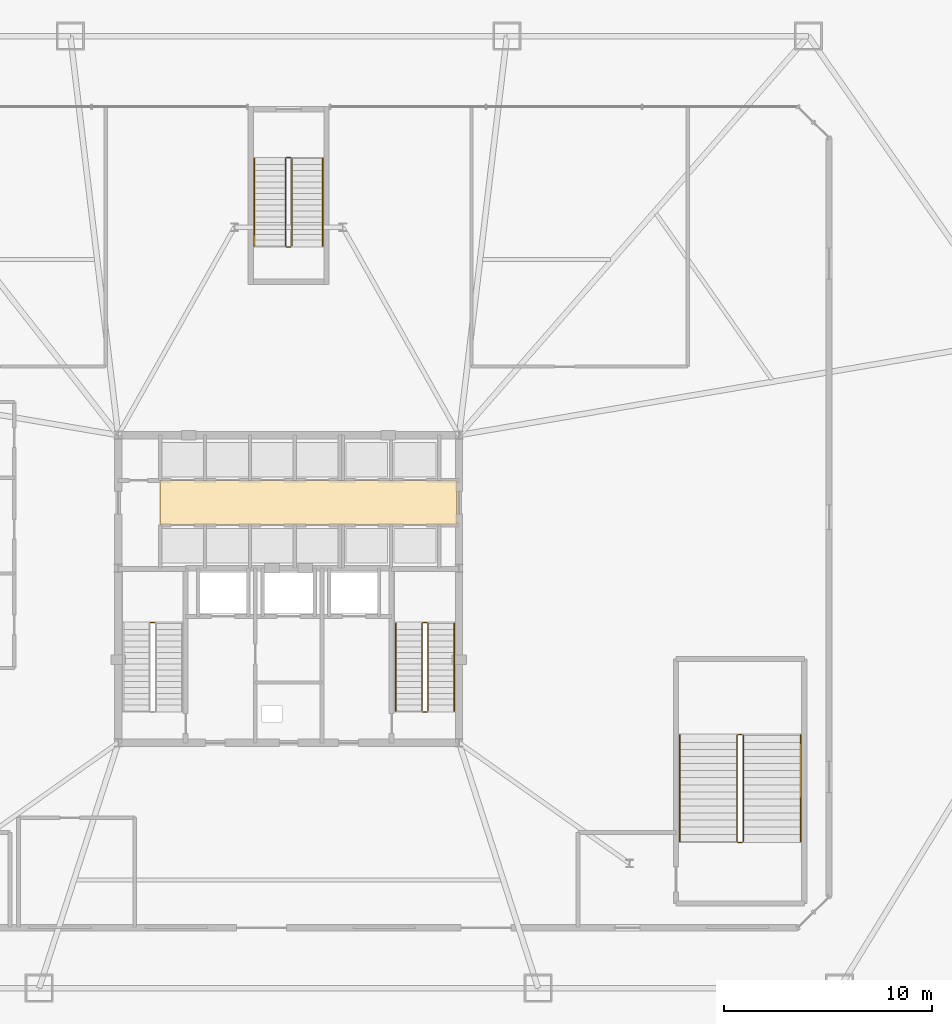
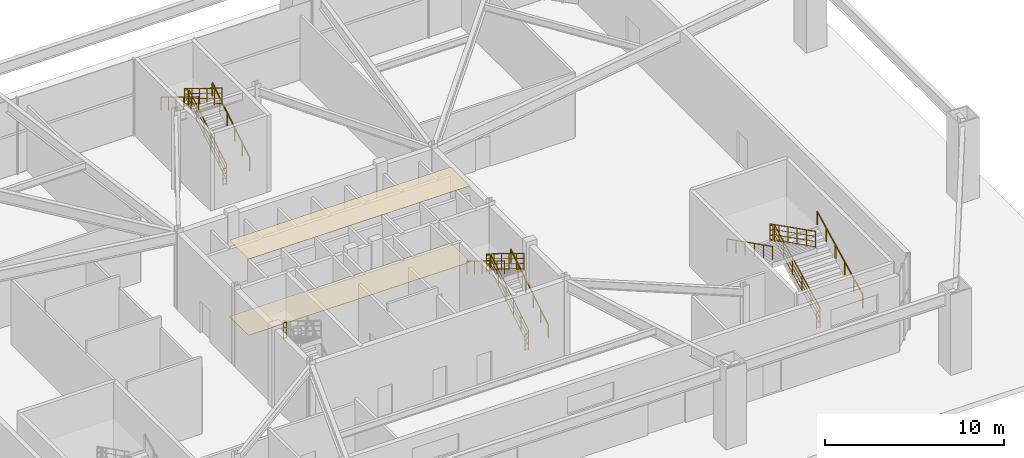
# One storey, part 19 of 20: 19 railings, 2 coverings.
"""IFC4 building model written with IfcOpenShell, lengths in metres."""

from ifc_helpers import new_model, si_unit, direction, frame, origin, origin_2d, place, context, subcontext, project, spatial, polyline, rectangle, outline, extrude, material, layer, layer_set, type_object, element, save


model = new_model("IFC4")

# Units and contexts
model_context = context("Model", 3, precision=1e-05, world=origin(), true_north=direction((0.0, 1.0)))
body_context = subcontext(model_context, "Body", "Model", "MODEL_VIEW")
ifc_project = project(units=[si_unit("LENGTHUNIT", "METRE"), si_unit("AREAUNIT", "SQUARE_METRE"), si_unit("VOLUMEUNIT", "CUBIC_METRE"), si_unit("PLANEANGLEUNIT", "RADIAN"), si_unit("MASSUNIT", "GRAM", prefix="KILO")], contexts=[model_context])

# Site, building, storey
site_placement = place(None, origin())
site = spatial("IfcSite", under=ifc_project, at=site_placement, CompositionType="ELEMENT")
building_placement = place(site_placement, origin())
building = spatial("IfcBuilding", under=site, at=building_placement, Name="Varakhsha Concourse Tower", CompositionType="ELEMENT")
storey_placement = place(building_placement, origin())
storey = spatial("IfcBuildingStorey", under=building, at=storey_placement, Name="L01", CompositionType="ELEMENT", Elevation=0.0)

# Coverings
ifc_material_1 = material(Name="Mineral Fibre Acoustic Lay-In Ceiling Tile 20 mm", Category="mineral")
ifc_layer_1 = layer(ifc_material_1, 0.02001953125, Name="COV-CEIL-20")
ifc_layer_set_1 = layer_set([ifc_layer_1], Name="Mineral Fibre Acoustic Lay-In Ceiling Tile 20 mm")
covering_type_1 = type_object("IfcCoveringType", Name="COV-CEIL-20", PredefinedType="CEILING", material=ifc_layer_set_1)
covering_1_placement = place(storey_placement, frame((0.0, 0.0, 5.199951171875)))
element("IfcCovering", 1, at=covering_1_placement, inside=storey, type_object=covering_type_1, Name="L01 Lift Lobby Acoustic Ceiling", PredefinedType="CEILING", context=body_context, shape_type="SweptSolid", body=[
    extrude(outline(polyline([(33.820068359375, 26.8798828125), (48.10009765625, 26.8798828125), (48.10009765625, 29.02001953125), (33.820068359375, 29.02001953125), (33.820068359375, 26.8798828125)])), origin(), (0.0, 0.0, 1.0), 0.02001953125),
])
ifc_material_2 = material(Name="Polished Samarkand Aggregate Terrazzo Flooring 25 mm", Category="concrete")
ifc_layer_2 = layer(ifc_material_2, 0.02490234375, Name="COV-FLOOR-25")
ifc_layer_set_2 = layer_set([ifc_layer_2], Name="Polished Samarkand Aggregate Terrazzo Flooring 25 mm")
covering_type_2 = type_object("IfcCoveringType", Name="COV-FLOOR-25", PredefinedType="FLOORING", material=ifc_layer_set_2)
covering_2_placement = place(storey_placement, origin())
element("IfcCovering", 2, at=covering_2_placement, inside=storey, type_object=covering_type_2, Name="L01 Lift Lobby Terrazzo Flooring", PredefinedType="FLOORING", context=body_context, shape_type="SweptSolid", body=[
    extrude(outline(polyline([(33.820068359375, 26.8798828125), (48.10009765625, 26.8798828125), (48.10009765625, 29.02001953125), (33.820068359375, 29.02001953125), (33.820068359375, 26.8798828125)])), origin(), (0.0, 0.0, 1.0), 0.02490234375),
])

# Railings
ifc_material_3 = material(Name="Brushed Austenitic Stainless Steel AISI 316", Category="steel")
railing_type_1 = type_object("IfcRailingType", Name="RL-STAIR-GUARD-1100", PredefinedType="GUARDRAIL", material=ifc_material_3)
railing_1_placement = place(storey_placement, frame((33.56005859375, 22.18994140625, 2.75)))
element("IfcRailing", 3, at=railing_1_placement, inside=storey, type_object=railing_type_1, Name="L01 ST1 stair guard 2", PredefinedType="GUARDRAIL", context=body_context, shape_type="SweptSolid", body=[
    extrude(rectangle(XDim=0.048095703125, YDim=0.048095703125, at=origin_2d()), frame((0.0, 0.0, 1.1259765625), z_axis=(-1.0, 0.0, 0.0), x_axis=(0.0, -1.0, 0.0)), (0.0, 0.0, 1.0), 0.199951171875),
    extrude(rectangle(XDim=0.028076171875, YDim=0.028076171875, at=origin_2d()), frame((0.0, 0.0, 0.080078125), z_axis=(-1.0, 0.0, 0.0), x_axis=(0.0, -1.0, 0.0)), (0.0, 0.0, 1.0), 0.199951171875),
    extrude(rectangle(XDim=0.028076171875, YDim=0.028076171875, at=origin_2d()), frame((0.0, 0.0, 0.43701171875), z_axis=(-1.0, 0.0, 0.0), x_axis=(0.0, -1.0, 0.0)), (0.0, 0.0, 1.0), 0.199951171875),
    extrude(rectangle(XDim=0.028076171875, YDim=0.028076171875, at=origin_2d()), frame((0.0, 0.0, 0.781982421875), z_axis=(-1.0, 0.0, 0.0), x_axis=(0.0, -1.0, 0.0)), (0.0, 0.0, 1.0), 0.199951171875),
    extrude(rectangle(XDim=0.0419921875, YDim=0.0419921875, at=origin_2d()), origin(), (0.0, 0.0, 1.0), 1.101806640625),
    extrude(rectangle(XDim=0.0419921875, YDim=0.0419921875, at=origin_2d()), frame((-0.199951171875, 0.0, 0.0)), (0.0, 0.0, 1.0), 1.101806640625),
])
railing_2_placement = place(storey_placement, frame((46.7099609375, 17.93994140625, 0.171875)))
element("IfcRailing", 4, at=railing_2_placement, inside=storey, type_object=railing_type_1, Name="L01 ST2 stair guard 1", PredefinedType="GUARDRAIL", context=body_context, shape_type="SweptSolid", body=[
    extrude(rectangle(XDim=0.048095703125, YDim=0.048095703125, at=origin_2d()), frame((0.0, 0.0, 1.1259765625), z_axis=(0.0, 0.852242915053, 0.523146264196), x_axis=(-1.0, 0.0, 0.0)), (0.0, 0.0, 1.0), 4.92822265625),
    extrude(rectangle(XDim=0.028076171875, YDim=0.028076171875, at=origin_2d()), frame((0.0, 0.0, 0.080078125), z_axis=(0.0, 0.852242915053, 0.523146264196), x_axis=(-1.0, 0.0, 0.0)), (0.0, 0.0, 1.0), 4.92822265625),
    extrude(rectangle(XDim=0.028076171875, YDim=0.028076171875, at=origin_2d()), frame((0.0, 0.0, 0.43701171875), z_axis=(0.0, 0.852242915053, 0.523146264196), x_axis=(-1.0, 0.0, 0.0)), (0.0, 0.0, 1.0), 4.92822265625),
    extrude(rectangle(XDim=0.028076171875, YDim=0.028076171875, at=origin_2d()), frame((0.0, 0.0, 0.781982421875), z_axis=(0.0, 0.852242915053, 0.523146264196), x_axis=(-1.0, 0.0, 0.0)), (0.0, 0.0, 1.0), 4.92822265625),
    extrude(rectangle(XDim=0.0419921875, YDim=0.0419921875, at=origin_2d()), origin(), (0.0, 0.0, 1.0), 1.101806640625),
    extrude(rectangle(XDim=0.0419921875, YDim=0.0419921875, at=origin_2d()), frame((0.0, 0.840087890625, 0.515625)), (0.0, 0.0, 1.0), 1.101806640625),
    extrude(rectangle(XDim=0.0419921875, YDim=0.0419921875, at=origin_2d()), frame((0.0, 1.679931640625, 1.03125)), (0.0, 0.0, 1.0), 1.101806640625),
    extrude(rectangle(XDim=0.0419921875, YDim=0.0419921875, at=origin_2d()), frame((0.0, 2.52001953125, 1.546875)), (0.0, 0.0, 1.0), 1.101806640625),
    extrude(rectangle(XDim=0.0419921875, YDim=0.0419921875, at=origin_2d()), frame((0.0, 3.35986328125, 2.0625)), (0.0, 0.0, 1.0), 1.101806640625),
    extrude(rectangle(XDim=0.0419921875, YDim=0.0419921875, at=origin_2d()), frame((0.0, 4.199951171875, 2.578125)), (0.0, 0.0, 1.0), 1.101806640625),
])
railing_3_placement = place(storey_placement, frame((46.659912109375, 22.18994140625, 2.75)))
element("IfcRailing", 5, at=railing_3_placement, inside=storey, type_object=railing_type_1, Name="L01 ST2 stair guard 2", PredefinedType="GUARDRAIL", context=body_context, shape_type="SweptSolid", body=[
    extrude(rectangle(XDim=0.048095703125, YDim=0.048095703125, at=origin_2d()), frame((0.0, 0.0, 1.1259765625), z_axis=(-1.0, 0.0, 0.0), x_axis=(0.0, -1.0, 0.0)), (0.0, 0.0, 1.0), 0.199951171875),
    extrude(rectangle(XDim=0.028076171875, YDim=0.028076171875, at=origin_2d()), frame((0.0, 0.0, 0.080078125), z_axis=(-1.0, 0.0, 0.0), x_axis=(0.0, -1.0, 0.0)), (0.0, 0.0, 1.0), 0.199951171875),
    extrude(rectangle(XDim=0.028076171875, YDim=0.028076171875, at=origin_2d()), frame((0.0, 0.0, 0.43701171875), z_axis=(-1.0, 0.0, 0.0), x_axis=(0.0, -1.0, 0.0)), (0.0, 0.0, 1.0), 0.199951171875),
    extrude(rectangle(XDim=0.028076171875, YDim=0.028076171875, at=origin_2d()), frame((0.0, 0.0, 0.781982421875), z_axis=(-1.0, 0.0, 0.0), x_axis=(0.0, -1.0, 0.0)), (0.0, 0.0, 1.0), 0.199951171875),
    extrude(rectangle(XDim=0.0419921875, YDim=0.0419921875, at=origin_2d()), origin(), (0.0, 0.0, 1.0), 1.101806640625),
    extrude(rectangle(XDim=0.0419921875, YDim=0.0419921875, at=origin_2d()), frame((-0.199951171875, 0.0, 0.0)), (0.0, 0.0, 1.0), 1.101806640625),
])
railing_4_placement = place(storey_placement, frame((46.409912109375, 22.139892578125, 2.921875)))
element("IfcRailing", 6, at=railing_4_placement, inside=storey, type_object=railing_type_1, Name="L01 ST2 stair guard 3", PredefinedType="GUARDRAIL", context=body_context, shape_type="SweptSolid", body=[
    extrude(rectangle(XDim=0.048095703125, YDim=0.048095703125, at=origin_2d()), frame((0.0, 0.0, 1.1259765625), z_axis=(0.0, -0.852242915053, 0.523146264196), x_axis=(1.0, 0.0, 0.0)), (0.0, 0.0, 1.0), 4.92822265625),
    extrude(rectangle(XDim=0.028076171875, YDim=0.028076171875, at=origin_2d()), frame((0.0, 0.0, 0.080078125), z_axis=(0.0, -0.852242915053, 0.523146264196), x_axis=(1.0, 0.0, 0.0)), (0.0, 0.0, 1.0), 4.92822265625),
    extrude(rectangle(XDim=0.028076171875, YDim=0.028076171875, at=origin_2d()), frame((0.0, 0.0, 0.43701171875), z_axis=(0.0, -0.852242915053, 0.523146264196), x_axis=(1.0, 0.0, 0.0)), (0.0, 0.0, 1.0), 4.92822265625),
    extrude(rectangle(XDim=0.028076171875, YDim=0.028076171875, at=origin_2d()), frame((0.0, 0.0, 0.781982421875), z_axis=(0.0, -0.852242915053, 0.523146264196), x_axis=(1.0, 0.0, 0.0)), (0.0, 0.0, 1.0), 4.92822265625),
    extrude(rectangle(XDim=0.0419921875, YDim=0.0419921875, at=origin_2d()), origin(), (0.0, 0.0, 1.0), 1.101806640625),
    extrude(rectangle(XDim=0.0419921875, YDim=0.0419921875, at=origin_2d()), frame((0.0, -0.840087890625, 0.515625)), (0.0, 0.0, 1.0), 1.101806640625),
    extrude(rectangle(XDim=0.0419921875, YDim=0.0419921875, at=origin_2d()), frame((0.0, -1.679931640625, 1.03125)), (0.0, 0.0, 1.0), 1.101806640625),
    extrude(rectangle(XDim=0.0419921875, YDim=0.0419921875, at=origin_2d()), frame((0.0, -2.52001953125, 1.546875)), (0.0, 0.0, 1.0), 1.101806640625),
    extrude(rectangle(XDim=0.0419921875, YDim=0.0419921875, at=origin_2d()), frame((0.0, -3.35986328125, 2.0625)), (0.0, 0.0, 1.0), 1.101806640625),
    extrude(rectangle(XDim=0.0419921875, YDim=0.0419921875, at=origin_2d()), frame((0.0, -4.199951171875, 2.578125)), (0.0, 0.0, 1.0), 1.101806640625),
])
railing_5_placement = place(storey_placement, frame((46.659912109375, 17.889892578125, 0.0)))
element("IfcRailing", 7, at=railing_5_placement, inside=storey, type_object=railing_type_1, Name="L01 ST2 stair guard 4", PredefinedType="GUARDRAIL", context=body_context, shape_type="SweptSolid", body=[
    extrude(rectangle(XDim=0.048095703125, YDim=0.048095703125, at=origin_2d()), frame((0.0, 0.0, 1.1259765625), z_axis=(-1.0, 0.0, 0.0), x_axis=(0.0, -1.0, 0.0)), (0.0, 0.0, 1.0), 0.199951171875),
    extrude(rectangle(XDim=0.028076171875, YDim=0.028076171875, at=origin_2d()), frame((0.0, 0.0, 0.080078125), z_axis=(-1.0, 0.0, 0.0), x_axis=(0.0, -1.0, 0.0)), (0.0, 0.0, 1.0), 0.199951171875),
    extrude(rectangle(XDim=0.028076171875, YDim=0.028076171875, at=origin_2d()), frame((0.0, 0.0, 0.43701171875), z_axis=(-1.0, 0.0, 0.0), x_axis=(0.0, -1.0, 0.0)), (0.0, 0.0, 1.0), 0.199951171875),
    extrude(rectangle(XDim=0.028076171875, YDim=0.028076171875, at=origin_2d()), frame((0.0, 0.0, 0.781982421875), z_axis=(-1.0, 0.0, 0.0), x_axis=(0.0, -1.0, 0.0)), (0.0, 0.0, 1.0), 0.199951171875),
    extrude(rectangle(XDim=0.0419921875, YDim=0.0419921875, at=origin_2d()), origin(), (0.0, 0.0, 1.0), 1.101806640625),
    extrude(rectangle(XDim=0.0419921875, YDim=0.0419921875, at=origin_2d()), frame((-0.199951171875, 0.0, 0.0)), (0.0, 0.0, 1.0), 1.101806640625),
])
railing_6_placement = place(storey_placement, frame((61.8701171875, 11.659912109375, 0.171875)))
element("IfcRailing", 8, at=railing_6_placement, inside=storey, type_object=railing_type_1, Name="L01 ST4 stair guard 1", PredefinedType="GUARDRAIL", context=body_context, shape_type="SweptSolid", body=[
    extrude(rectangle(XDim=0.048095703125, YDim=0.048095703125, at=origin_2d()), frame((0.0, 0.0, 1.1259765625), z_axis=(0.0, 0.892453363607, 0.451139661067), x_axis=(-1.0, 0.0, 0.0)), (0.0, 0.0, 1.0), 5.714599609375),
    extrude(rectangle(XDim=0.028076171875, YDim=0.028076171875, at=origin_2d()), frame((0.0, 0.0, 0.080078125), z_axis=(0.0, 0.892453363607, 0.451139661067), x_axis=(-1.0, 0.0, 0.0)), (0.0, 0.0, 1.0), 5.714599609375),
    extrude(rectangle(XDim=0.028076171875, YDim=0.028076171875, at=origin_2d()), frame((0.0, 0.0, 0.43701171875), z_axis=(0.0, 0.892453363607, 0.451139661067), x_axis=(-1.0, 0.0, 0.0)), (0.0, 0.0, 1.0), 5.714599609375),
    extrude(rectangle(XDim=0.028076171875, YDim=0.028076171875, at=origin_2d()), frame((0.0, 0.0, 0.781982421875), z_axis=(0.0, 0.892453363607, 0.451139661067), x_axis=(-1.0, 0.0, 0.0)), (0.0, 0.0, 1.0), 5.714599609375),
    extrude(rectangle(XDim=0.0419921875, YDim=0.0419921875, at=origin_2d()), origin(), (0.0, 0.0, 1.0), 1.101806640625),
    extrude(rectangle(XDim=0.0419921875, YDim=0.0419921875, at=origin_2d()), frame((0.0, 1.02001953125, 0.515625)), (0.0, 0.0, 1.0), 1.101806640625),
    extrude(rectangle(XDim=0.0419921875, YDim=0.0419921875, at=origin_2d()), frame((0.0, 2.0400390625, 1.03125)), (0.0, 0.0, 1.0), 1.101806640625),
    extrude(rectangle(XDim=0.0419921875, YDim=0.0419921875, at=origin_2d()), frame((0.0, 3.06005859375, 1.546875)), (0.0, 0.0, 1.0), 1.101806640625),
    extrude(rectangle(XDim=0.0419921875, YDim=0.0419921875, at=origin_2d()), frame((0.0, 4.080078125, 2.0625)), (0.0, 0.0, 1.0), 1.101806640625),
    extrude(rectangle(XDim=0.0419921875, YDim=0.0419921875, at=origin_2d()), frame((0.0, 5.10009765625, 2.578125)), (0.0, 0.0, 1.0), 1.101806640625),
])
railing_7_placement = place(storey_placement, frame((61.820068359375, 16.81005859375, 2.75)))
element("IfcRailing", 9, at=railing_7_placement, inside=storey, type_object=railing_type_1, Name="L01 ST4 stair guard 2", PredefinedType="GUARDRAIL", context=body_context, shape_type="SweptSolid", body=[
    extrude(rectangle(XDim=0.048095703125, YDim=0.048095703125, at=origin_2d()), frame((0.0, 0.0, 1.1259765625), z_axis=(-1.0, 0.0, 0.0), x_axis=(0.0, -1.0, 0.0)), (0.0, 0.0, 1.0), 0.199951171875),
    extrude(rectangle(XDim=0.028076171875, YDim=0.028076171875, at=origin_2d()), frame((0.0, 0.0, 0.080078125), z_axis=(-1.0, 0.0, 0.0), x_axis=(0.0, -1.0, 0.0)), (0.0, 0.0, 1.0), 0.199951171875),
    extrude(rectangle(XDim=0.028076171875, YDim=0.028076171875, at=origin_2d()), frame((0.0, 0.0, 0.43701171875), z_axis=(-1.0, 0.0, 0.0), x_axis=(0.0, -1.0, 0.0)), (0.0, 0.0, 1.0), 0.199951171875),
    extrude(rectangle(XDim=0.028076171875, YDim=0.028076171875, at=origin_2d()), frame((0.0, 0.0, 0.781982421875), z_axis=(-1.0, 0.0, 0.0), x_axis=(0.0, -1.0, 0.0)), (0.0, 0.0, 1.0), 0.199951171875),
    extrude(rectangle(XDim=0.0419921875, YDim=0.0419921875, at=origin_2d()), origin(), (0.0, 0.0, 1.0), 1.101806640625),
    extrude(rectangle(XDim=0.0419921875, YDim=0.0419921875, at=origin_2d()), frame((-0.199951171875, 0.0, 0.0)), (0.0, 0.0, 1.0), 1.101806640625),
])
railing_8_placement = place(storey_placement, frame((61.570068359375, 16.760009765625, 2.921875)))
element("IfcRailing", 10, at=railing_8_placement, inside=storey, type_object=railing_type_1, Name="L01 ST4 stair guard 3", PredefinedType="GUARDRAIL", context=body_context, shape_type="SweptSolid", body=[
    extrude(rectangle(XDim=0.048095703125, YDim=0.048095703125, at=origin_2d()), frame((0.0, 0.0, 1.1259765625), z_axis=(0.0, -0.892453363607, 0.451139661067), x_axis=(1.0, 0.0, 0.0)), (0.0, 0.0, 1.0), 5.714599609375),
    extrude(rectangle(XDim=0.028076171875, YDim=0.028076171875, at=origin_2d()), frame((0.0, 0.0, 0.080078125), z_axis=(0.0, -0.892453363607, 0.451139661067), x_axis=(1.0, 0.0, 0.0)), (0.0, 0.0, 1.0), 5.714599609375),
    extrude(rectangle(XDim=0.028076171875, YDim=0.028076171875, at=origin_2d()), frame((0.0, 0.0, 0.43701171875), z_axis=(0.0, -0.892453363607, 0.451139661067), x_axis=(1.0, 0.0, 0.0)), (0.0, 0.0, 1.0), 5.714599609375),
    extrude(rectangle(XDim=0.028076171875, YDim=0.028076171875, at=origin_2d()), frame((0.0, 0.0, 0.781982421875), z_axis=(0.0, -0.892453363607, 0.451139661067), x_axis=(1.0, 0.0, 0.0)), (0.0, 0.0, 1.0), 5.714599609375),
    extrude(rectangle(XDim=0.0419921875, YDim=0.0419921875, at=origin_2d()), origin(), (0.0, 0.0, 1.0), 1.101806640625),
    extrude(rectangle(XDim=0.0419921875, YDim=0.0419921875, at=origin_2d()), frame((0.0, -1.02001953125, 0.515625)), (0.0, 0.0, 1.0), 1.101806640625),
    extrude(rectangle(XDim=0.0419921875, YDim=0.0419921875, at=origin_2d()), frame((0.0, -2.0400390625, 1.03125)), (0.0, 0.0, 1.0), 1.101806640625),
    extrude(rectangle(XDim=0.0419921875, YDim=0.0419921875, at=origin_2d()), frame((0.0, -3.06005859375, 1.546875)), (0.0, 0.0, 1.0), 1.101806640625),
    extrude(rectangle(XDim=0.0419921875, YDim=0.0419921875, at=origin_2d()), frame((0.0, -4.080078125, 2.0625)), (0.0, 0.0, 1.0), 1.101806640625),
    extrude(rectangle(XDim=0.0419921875, YDim=0.0419921875, at=origin_2d()), frame((0.0, -5.10009765625, 2.578125)), (0.0, 0.0, 1.0), 1.101806640625),
])
railing_9_placement = place(storey_placement, frame((61.820068359375, 11.610107421875, 0.0)))
element("IfcRailing", 11, at=railing_9_placement, inside=storey, type_object=railing_type_1, Name="L01 ST4 stair guard 4", PredefinedType="GUARDRAIL", context=body_context, shape_type="SweptSolid", body=[
    extrude(rectangle(XDim=0.048095703125, YDim=0.048095703125, at=origin_2d()), frame((0.0, 0.0, 1.1259765625), z_axis=(-1.0, 0.0, 0.0), x_axis=(0.0, -1.0, 0.0)), (0.0, 0.0, 1.0), 0.199951171875),
    extrude(rectangle(XDim=0.028076171875, YDim=0.028076171875, at=origin_2d()), frame((0.0, 0.0, 0.080078125), z_axis=(-1.0, 0.0, 0.0), x_axis=(0.0, -1.0, 0.0)), (0.0, 0.0, 1.0), 0.199951171875),
    extrude(rectangle(XDim=0.028076171875, YDim=0.028076171875, at=origin_2d()), frame((0.0, 0.0, 0.43701171875), z_axis=(-1.0, 0.0, 0.0), x_axis=(0.0, -1.0, 0.0)), (0.0, 0.0, 1.0), 0.199951171875),
    extrude(rectangle(XDim=0.028076171875, YDim=0.028076171875, at=origin_2d()), frame((0.0, 0.0, 0.781982421875), z_axis=(-1.0, 0.0, 0.0), x_axis=(0.0, -1.0, 0.0)), (0.0, 0.0, 1.0), 0.199951171875),
    extrude(rectangle(XDim=0.0419921875, YDim=0.0419921875, at=origin_2d()), origin(), (0.0, 0.0, 1.0), 1.101806640625),
    extrude(rectangle(XDim=0.0419921875, YDim=0.0419921875, at=origin_2d()), frame((-0.199951171875, 0.0, 0.0)), (0.0, 0.0, 1.0), 1.101806640625),
])
railing_10_placement = place(storey_placement, frame((40.14990234375, 40.300048828125, 0.171875)))
element("IfcRailing", 12, at=railing_10_placement, inside=storey, type_object=railing_type_1, Name="L01 ST5 stair guard 1", PredefinedType="GUARDRAIL", context=body_context, shape_type="SweptSolid", body=[
    extrude(rectangle(XDim=0.048095703125, YDim=0.048095703125, at=origin_2d()), frame((0.0, 0.0, 1.1259765625), z_axis=(0.0, 0.852242915053, 0.523146264196), x_axis=(-1.0, 0.0, 0.0)), (0.0, 0.0, 1.0), 4.92822265625),
    extrude(rectangle(XDim=0.028076171875, YDim=0.028076171875, at=origin_2d()), frame((0.0, 0.0, 0.080078125), z_axis=(0.0, 0.852242915053, 0.523146264196), x_axis=(-1.0, 0.0, 0.0)), (0.0, 0.0, 1.0), 4.92822265625),
    extrude(rectangle(XDim=0.028076171875, YDim=0.028076171875, at=origin_2d()), frame((0.0, 0.0, 0.43701171875), z_axis=(0.0, 0.852242915053, 0.523146264196), x_axis=(-1.0, 0.0, 0.0)), (0.0, 0.0, 1.0), 4.92822265625),
    extrude(rectangle(XDim=0.028076171875, YDim=0.028076171875, at=origin_2d()), frame((0.0, 0.0, 0.781982421875), z_axis=(0.0, 0.852242915053, 0.523146264196), x_axis=(-1.0, 0.0, 0.0)), (0.0, 0.0, 1.0), 4.92822265625),
    extrude(rectangle(XDim=0.0419921875, YDim=0.0419921875, at=origin_2d()), origin(), (0.0, 0.0, 1.0), 1.101806640625),
    extrude(rectangle(XDim=0.0419921875, YDim=0.0419921875, at=origin_2d()), frame((0.0, 0.840087890625, 0.515625)), (0.0, 0.0, 1.0), 1.101806640625),
    extrude(rectangle(XDim=0.0419921875, YDim=0.0419921875, at=origin_2d()), frame((0.0, 1.679931640625, 1.03125)), (0.0, 0.0, 1.0), 1.101806640625),
    extrude(rectangle(XDim=0.0419921875, YDim=0.0419921875, at=origin_2d()), frame((0.0, 2.52001953125, 1.546875)), (0.0, 0.0, 1.0), 1.101806640625),
    extrude(rectangle(XDim=0.0419921875, YDim=0.0419921875, at=origin_2d()), frame((0.0, 3.35986328125, 2.0625)), (0.0, 0.0, 1.0), 1.101806640625),
    extrude(rectangle(XDim=0.0419921875, YDim=0.0419921875, at=origin_2d()), frame((0.0, 4.199951171875, 2.578125)), (0.0, 0.0, 1.0), 1.101806640625),
])
railing_11_placement = place(storey_placement, frame((40.10009765625, 44.550048828125, 2.75)))
element("IfcRailing", 13, at=railing_11_placement, inside=storey, type_object=railing_type_1, Name="L01 ST5 stair guard 2", PredefinedType="GUARDRAIL", context=body_context, shape_type="SweptSolid", body=[
    extrude(rectangle(XDim=0.048095703125, YDim=0.048095703125, at=origin_2d()), frame((0.0, 0.0, 1.1259765625), z_axis=(-1.0, 0.0, 0.0), x_axis=(0.0, -1.0, 0.0)), (0.0, 0.0, 1.0), 0.2001953125),
    extrude(rectangle(XDim=0.028076171875, YDim=0.028076171875, at=origin_2d()), frame((0.0, 0.0, 0.080078125), z_axis=(-1.0, 0.0, 0.0), x_axis=(0.0, -1.0, 0.0)), (0.0, 0.0, 1.0), 0.2001953125),
    extrude(rectangle(XDim=0.028076171875, YDim=0.028076171875, at=origin_2d()), frame((0.0, 0.0, 0.43701171875), z_axis=(-1.0, 0.0, 0.0), x_axis=(0.0, -1.0, 0.0)), (0.0, 0.0, 1.0), 0.2001953125),
    extrude(rectangle(XDim=0.028076171875, YDim=0.028076171875, at=origin_2d()), frame((0.0, 0.0, 0.781982421875), z_axis=(-1.0, 0.0, 0.0), x_axis=(0.0, -1.0, 0.0)), (0.0, 0.0, 1.0), 0.2001953125),
    extrude(rectangle(XDim=0.0419921875, YDim=0.0419921875, at=origin_2d()), origin(), (0.0, 0.0, 1.0), 1.101806640625),
    extrude(rectangle(XDim=0.0419921875, YDim=0.0419921875, at=origin_2d()), frame((-0.2001953125, 0.0, 0.0)), (0.0, 0.0, 1.0), 1.101806640625),
])
railing_12_placement = place(storey_placement, frame((39.85009765625, 44.5, 2.921875)))
element("IfcRailing", 14, at=railing_12_placement, inside=storey, type_object=railing_type_1, Name="L01 ST5 stair guard 3", PredefinedType="GUARDRAIL", context=body_context, shape_type="SweptSolid", body=[
    extrude(rectangle(XDim=0.048095703125, YDim=0.048095703125, at=origin_2d()), frame((0.0, 0.0, 1.1259765625), z_axis=(0.0, -0.852242915053, 0.523146264196), x_axis=(1.0, 0.0, 0.0)), (0.0, 0.0, 1.0), 4.92822265625),
    extrude(rectangle(XDim=0.028076171875, YDim=0.028076171875, at=origin_2d()), frame((0.0, 0.0, 0.080078125), z_axis=(0.0, -0.852242915053, 0.523146264196), x_axis=(1.0, 0.0, 0.0)), (0.0, 0.0, 1.0), 4.92822265625),
    extrude(rectangle(XDim=0.028076171875, YDim=0.028076171875, at=origin_2d()), frame((0.0, 0.0, 0.43701171875), z_axis=(0.0, -0.852242915053, 0.523146264196), x_axis=(1.0, 0.0, 0.0)), (0.0, 0.0, 1.0), 4.92822265625),
    extrude(rectangle(XDim=0.028076171875, YDim=0.028076171875, at=origin_2d()), frame((0.0, 0.0, 0.781982421875), z_axis=(0.0, -0.852242915053, 0.523146264196), x_axis=(1.0, 0.0, 0.0)), (0.0, 0.0, 1.0), 4.92822265625),
    extrude(rectangle(XDim=0.0419921875, YDim=0.0419921875, at=origin_2d()), origin(), (0.0, 0.0, 1.0), 1.101806640625),
    extrude(rectangle(XDim=0.0419921875, YDim=0.0419921875, at=origin_2d()), frame((0.0, -0.840087890625, 0.515625)), (0.0, 0.0, 1.0), 1.101806640625),
    extrude(rectangle(XDim=0.0419921875, YDim=0.0419921875, at=origin_2d()), frame((0.0, -1.679931640625, 1.03125)), (0.0, 0.0, 1.0), 1.101806640625),
    extrude(rectangle(XDim=0.0419921875, YDim=0.0419921875, at=origin_2d()), frame((0.0, -2.52001953125, 1.546875)), (0.0, 0.0, 1.0), 1.101806640625),
    extrude(rectangle(XDim=0.0419921875, YDim=0.0419921875, at=origin_2d()), frame((0.0, -3.35986328125, 2.0625)), (0.0, 0.0, 1.0), 1.101806640625),
    extrude(rectangle(XDim=0.0419921875, YDim=0.0419921875, at=origin_2d()), frame((0.0, -4.199951171875, 2.578125)), (0.0, 0.0, 1.0), 1.101806640625),
])
railing_13_placement = place(storey_placement, frame((40.10009765625, 40.25, 0.0)))
element("IfcRailing", 15, at=railing_13_placement, inside=storey, type_object=railing_type_1, Name="L01 ST5 stair guard 4", PredefinedType="GUARDRAIL", context=body_context, shape_type="SweptSolid", body=[
    extrude(rectangle(XDim=0.048095703125, YDim=0.048095703125, at=origin_2d()), frame((0.0, 0.0, 1.1259765625), z_axis=(-1.0, 0.0, 0.0), x_axis=(0.0, -1.0, 0.0)), (0.0, 0.0, 1.0), 0.2001953125),
    extrude(rectangle(XDim=0.028076171875, YDim=0.028076171875, at=origin_2d()), frame((0.0, 0.0, 0.080078125), z_axis=(-1.0, 0.0, 0.0), x_axis=(0.0, -1.0, 0.0)), (0.0, 0.0, 1.0), 0.2001953125),
    extrude(rectangle(XDim=0.028076171875, YDim=0.028076171875, at=origin_2d()), frame((0.0, 0.0, 0.43701171875), z_axis=(-1.0, 0.0, 0.0), x_axis=(0.0, -1.0, 0.0)), (0.0, 0.0, 1.0), 0.2001953125),
    extrude(rectangle(XDim=0.028076171875, YDim=0.028076171875, at=origin_2d()), frame((0.0, 0.0, 0.781982421875), z_axis=(-1.0, 0.0, 0.0), x_axis=(0.0, -1.0, 0.0)), (0.0, 0.0, 1.0), 0.2001953125),
    extrude(rectangle(XDim=0.0419921875, YDim=0.0419921875, at=origin_2d()), origin(), (0.0, 0.0, 1.0), 1.101806640625),
    extrude(rectangle(XDim=0.0419921875, YDim=0.0419921875, at=origin_2d()), frame((-0.2001953125, 0.0, 0.0)), (0.0, 0.0, 1.0), 1.101806640625),
])
railing_type_2 = type_object("IfcRailingType", Name="RL-STAIR-RAIL-915", PredefinedType="HANDRAIL", material=ifc_material_3)
railing_14_placement = place(storey_placement, frame((47.969970703125, 17.93994140625, 0.34375)))
element("IfcRailing", 16, at=railing_14_placement, inside=storey, type_object=railing_type_2, Name="L01 ST2 stair handrail 1", PredefinedType="HANDRAIL", context=body_context, shape_type="SweptSolid", body=[
    extrude(rectangle(XDim=0.048095703125, YDim=0.048095703125, at=origin_2d()), frame((0.0, 0.0, 0.89111328125), z_axis=(0.0, 0.852242915053, 0.523146264196), x_axis=(-1.0, 0.0, 0.0)), (0.0, 0.0, 1.0), 4.92822265625),
    extrude(rectangle(XDim=0.0419921875, YDim=0.0419921875, at=origin_2d()), origin(), (0.0, 0.0, 1.0), 0.866943359375),
    extrude(rectangle(XDim=0.0419921875, YDim=0.0419921875, at=origin_2d()), frame((0.0, 0.840087890625, 0.515625)), (0.0, 0.0, 1.0), 0.866943359375),
    extrude(rectangle(XDim=0.0419921875, YDim=0.0419921875, at=origin_2d()), frame((0.0, 1.679931640625, 1.03125)), (0.0, 0.0, 1.0), 0.866943359375),
    extrude(rectangle(XDim=0.0419921875, YDim=0.0419921875, at=origin_2d()), frame((0.0, 2.52001953125, 1.546875)), (0.0, 0.0, 1.0), 0.866943359375),
    extrude(rectangle(XDim=0.0419921875, YDim=0.0419921875, at=origin_2d()), frame((0.0, 3.35986328125, 2.0625)), (0.0, 0.0, 1.0), 0.866943359375),
    extrude(rectangle(XDim=0.0419921875, YDim=0.0419921875, at=origin_2d()), frame((0.0, 4.199951171875, 2.578125)), (0.0, 0.0, 1.0), 0.866943359375),
])
railing_15_placement = place(storey_placement, frame((45.14990234375, 22.139892578125, 3.09375)))
element("IfcRailing", 17, at=railing_15_placement, inside=storey, type_object=railing_type_2, Name="L01 ST2 stair handrail 2", PredefinedType="HANDRAIL", context=body_context, shape_type="SweptSolid", body=[
    extrude(rectangle(XDim=0.048095703125, YDim=0.048095703125, at=origin_2d()), frame((0.0, 0.0, 0.89111328125), z_axis=(0.0, -0.852242915053, 0.523146264196), x_axis=(1.0, 0.0, 0.0)), (0.0, 0.0, 1.0), 4.92822265625),
    extrude(rectangle(XDim=0.0419921875, YDim=0.0419921875, at=origin_2d()), origin(), (0.0, 0.0, 1.0), 0.866943359375),
    extrude(rectangle(XDim=0.0419921875, YDim=0.0419921875, at=origin_2d()), frame((0.0, -0.840087890625, 0.515625)), (0.0, 0.0, 1.0), 0.866943359375),
    extrude(rectangle(XDim=0.0419921875, YDim=0.0419921875, at=origin_2d()), frame((0.0, -1.679931640625, 1.03125)), (0.0, 0.0, 1.0), 0.866943359375),
    extrude(rectangle(XDim=0.0419921875, YDim=0.0419921875, at=origin_2d()), frame((0.0, -2.52001953125, 1.546875)), (0.0, 0.0, 1.0), 0.866943359375),
    extrude(rectangle(XDim=0.0419921875, YDim=0.0419921875, at=origin_2d()), frame((0.0, -3.35986328125, 2.0625)), (0.0, 0.0, 1.0), 0.866943359375),
    extrude(rectangle(XDim=0.0419921875, YDim=0.0419921875, at=origin_2d()), frame((0.0, -4.199951171875, 2.578125)), (0.0, 0.0, 1.0), 0.866943359375),
])
railing_16_placement = place(storey_placement, frame((64.6298828125, 11.659912109375, 0.34375)))
element("IfcRailing", 18, at=railing_16_placement, inside=storey, type_object=railing_type_2, Name="L01 ST4 stair handrail 1", PredefinedType="HANDRAIL", context=body_context, shape_type="SweptSolid", body=[
    extrude(rectangle(XDim=0.048095703125, YDim=0.048095703125, at=origin_2d()), frame((0.0, 0.0, 0.89111328125), z_axis=(0.0, 0.892453363607, 0.451139661067), x_axis=(-1.0, 0.0, 0.0)), (0.0, 0.0, 1.0), 5.714599609375),
    extrude(rectangle(XDim=0.0419921875, YDim=0.0419921875, at=origin_2d()), origin(), (0.0, 0.0, 1.0), 0.866943359375),
    extrude(rectangle(XDim=0.0419921875, YDim=0.0419921875, at=origin_2d()), frame((0.0, 1.02001953125, 0.515625)), (0.0, 0.0, 1.0), 0.866943359375),
    extrude(rectangle(XDim=0.0419921875, YDim=0.0419921875, at=origin_2d()), frame((0.0, 2.0400390625, 1.03125)), (0.0, 0.0, 1.0), 0.866943359375),
    extrude(rectangle(XDim=0.0419921875, YDim=0.0419921875, at=origin_2d()), frame((0.0, 3.06005859375, 1.546875)), (0.0, 0.0, 1.0), 0.866943359375),
    extrude(rectangle(XDim=0.0419921875, YDim=0.0419921875, at=origin_2d()), frame((0.0, 4.080078125, 2.0625)), (0.0, 0.0, 1.0), 0.866943359375),
    extrude(rectangle(XDim=0.0419921875, YDim=0.0419921875, at=origin_2d()), frame((0.0, 5.10009765625, 2.578125)), (0.0, 0.0, 1.0), 0.866943359375),
])
railing_17_placement = place(storey_placement, frame((58.81005859375, 16.760009765625, 3.09375)))
element("IfcRailing", 19, at=railing_17_placement, inside=storey, type_object=railing_type_2, Name="L01 ST4 stair handrail 2", PredefinedType="HANDRAIL", context=body_context, shape_type="SweptSolid", body=[
    extrude(rectangle(XDim=0.048095703125, YDim=0.048095703125, at=origin_2d()), frame((0.0, 0.0, 0.89111328125), z_axis=(0.0, -0.892453363607, 0.451139661067), x_axis=(1.0, 0.0, 0.0)), (0.0, 0.0, 1.0), 5.714599609375),
    extrude(rectangle(XDim=0.0419921875, YDim=0.0419921875, at=origin_2d()), origin(), (0.0, 0.0, 1.0), 0.866943359375),
    extrude(rectangle(XDim=0.0419921875, YDim=0.0419921875, at=origin_2d()), frame((0.0, -1.02001953125, 0.515625)), (0.0, 0.0, 1.0), 0.866943359375),
    extrude(rectangle(XDim=0.0419921875, YDim=0.0419921875, at=origin_2d()), frame((0.0, -2.0400390625, 1.03125)), (0.0, 0.0, 1.0), 0.866943359375),
    extrude(rectangle(XDim=0.0419921875, YDim=0.0419921875, at=origin_2d()), frame((0.0, -3.06005859375, 1.546875)), (0.0, 0.0, 1.0), 0.866943359375),
    extrude(rectangle(XDim=0.0419921875, YDim=0.0419921875, at=origin_2d()), frame((0.0, -4.080078125, 2.0625)), (0.0, 0.0, 1.0), 0.866943359375),
    extrude(rectangle(XDim=0.0419921875, YDim=0.0419921875, at=origin_2d()), frame((0.0, -5.10009765625, 2.578125)), (0.0, 0.0, 1.0), 0.866943359375),
])
railing_18_placement = place(storey_placement, frame((41.64990234375, 40.300048828125, 0.34375)))
element("IfcRailing", 20, at=railing_18_placement, inside=storey, type_object=railing_type_2, Name="L01 ST5 stair handrail 1", PredefinedType="HANDRAIL", context=body_context, shape_type="SweptSolid", body=[
    extrude(rectangle(XDim=0.048095703125, YDim=0.048095703125, at=origin_2d()), frame((0.0, 0.0, 0.89111328125), z_axis=(0.0, 0.852242915053, 0.523146264196), x_axis=(-1.0, 0.0, 0.0)), (0.0, 0.0, 1.0), 4.92822265625),
    extrude(rectangle(XDim=0.0419921875, YDim=0.0419921875, at=origin_2d()), origin(), (0.0, 0.0, 1.0), 0.866943359375),
    extrude(rectangle(XDim=0.0419921875, YDim=0.0419921875, at=origin_2d()), frame((0.0, 0.840087890625, 0.515625)), (0.0, 0.0, 1.0), 0.866943359375),
    extrude(rectangle(XDim=0.0419921875, YDim=0.0419921875, at=origin_2d()), frame((0.0, 1.679931640625, 1.03125)), (0.0, 0.0, 1.0), 0.866943359375),
    extrude(rectangle(XDim=0.0419921875, YDim=0.0419921875, at=origin_2d()), frame((0.0, 2.52001953125, 1.546875)), (0.0, 0.0, 1.0), 0.866943359375),
    extrude(rectangle(XDim=0.0419921875, YDim=0.0419921875, at=origin_2d()), frame((0.0, 3.35986328125, 2.0625)), (0.0, 0.0, 1.0), 0.866943359375),
    extrude(rectangle(XDim=0.0419921875, YDim=0.0419921875, at=origin_2d()), frame((0.0, 4.199951171875, 2.578125)), (0.0, 0.0, 1.0), 0.866943359375),
])
railing_19_placement = place(storey_placement, frame((38.35009765625, 44.5, 3.09375)))
element("IfcRailing", 21, at=railing_19_placement, inside=storey, type_object=railing_type_2, Name="L01 ST5 stair handrail 2", PredefinedType="HANDRAIL", context=body_context, shape_type="SweptSolid", body=[
    extrude(rectangle(XDim=0.048095703125, YDim=0.048095703125, at=origin_2d()), frame((0.0, 0.0, 0.89111328125), z_axis=(0.0, -0.852242915053, 0.523146264196), x_axis=(1.0, 0.0, 0.0)), (0.0, 0.0, 1.0), 4.92822265625),
    extrude(rectangle(XDim=0.0419921875, YDim=0.0419921875, at=origin_2d()), origin(), (0.0, 0.0, 1.0), 0.866943359375),
    extrude(rectangle(XDim=0.0419921875, YDim=0.0419921875, at=origin_2d()), frame((0.0, -0.840087890625, 0.515625)), (0.0, 0.0, 1.0), 0.866943359375),
    extrude(rectangle(XDim=0.0419921875, YDim=0.0419921875, at=origin_2d()), frame((0.0, -1.679931640625, 1.03125)), (0.0, 0.0, 1.0), 0.866943359375),
    extrude(rectangle(XDim=0.0419921875, YDim=0.0419921875, at=origin_2d()), frame((0.0, -2.52001953125, 1.546875)), (0.0, 0.0, 1.0), 0.866943359375),
    extrude(rectangle(XDim=0.0419921875, YDim=0.0419921875, at=origin_2d()), frame((0.0, -3.35986328125, 2.0625)), (0.0, 0.0, 1.0), 0.866943359375),
    extrude(rectangle(XDim=0.0419921875, YDim=0.0419921875, at=origin_2d()), frame((0.0, -4.199951171875, 2.578125)), (0.0, 0.0, 1.0), 0.866943359375),
])

save(model, "model.ifc")
